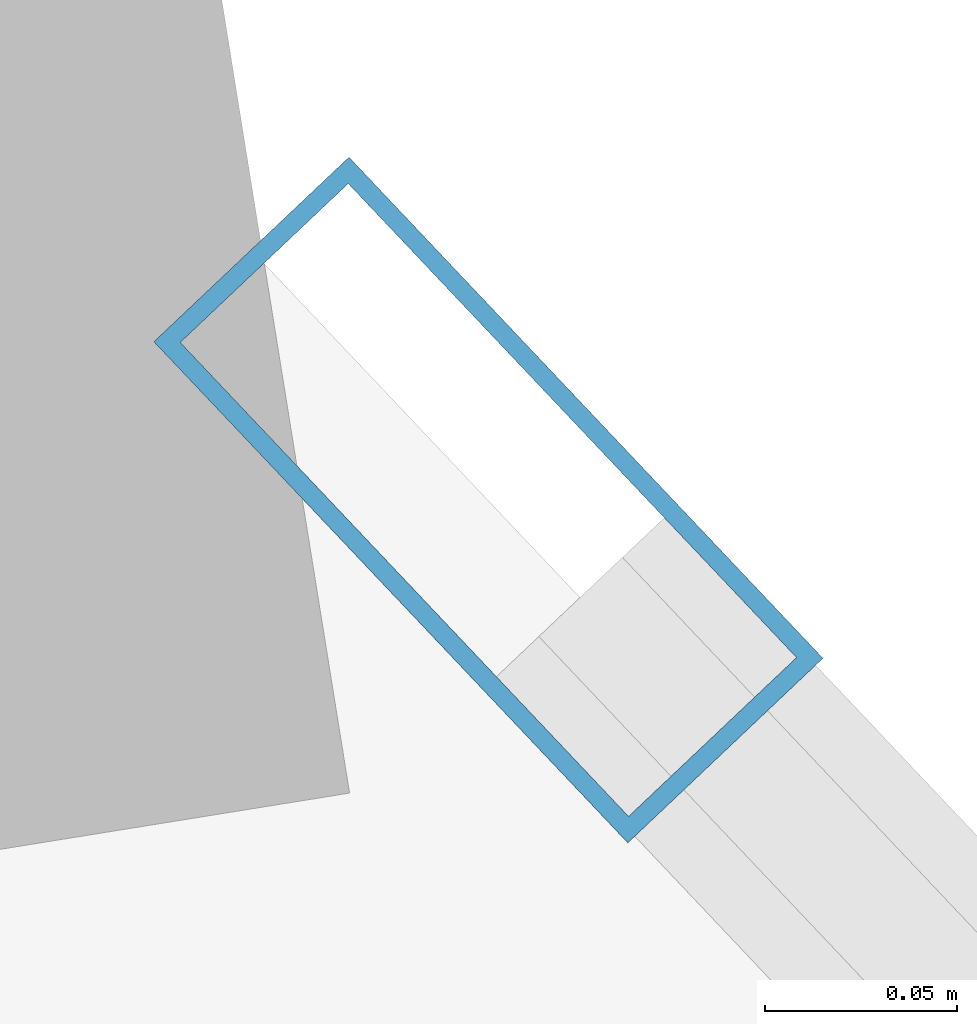
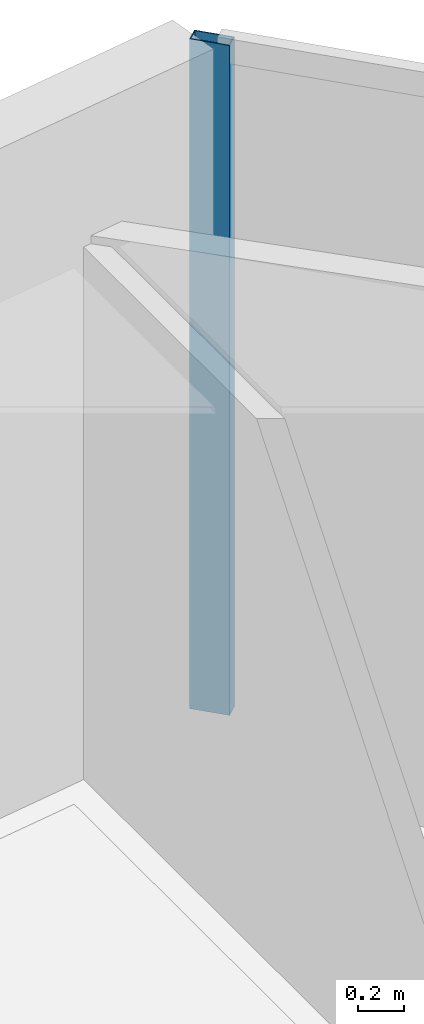
# One storey, part 15 of 23: 1 member, 1 element without a shape of its own.
"""IFC4 building model written with IfcOpenShell, lengths in metres."""

import ifcopenshell
import ifcopenshell.guid

model = None  # the IFC model being written
_history = None  # IfcOwnerHistory: only IFC2X3 demands one
_inside = {}  # id of a spatial element -> (the spatial element, [elements in it])
_under = {}  # id of a project, library or spatial element -> (it, [spatial elements below it])
_declared = {}  # id of a project -> (the project, [libraries it declares])
_typed = {}  # id of a type object -> (the type object, [elements of that type])
_made_of = {}  # id of a material, layer set ... -> (it, [elements and type objects made of it])


def new_model(schema):
    """Start an empty IFC model of exactly this schema.

    Asked for "IFC4X3", IfcOpenShell would pick the latest addendum, in which some entities
    have other attributes; the version numbers below select the first issue.
    IFC2X3 requires an IfcOwnerHistory on every rooted entity: one is made here for all.
    """
    global model, _history
    if schema == "IFC4X3":
        model = ifcopenshell.file(schema_version=(4, 3, 0, 0))
    else:
        model = ifcopenshell.file(schema=schema)
    _inside.clear()
    _under.clear()
    _declared.clear()
    _typed.clear()
    _made_of.clear()
    _history = None
    if model.schema == "IFC2X3":
        org = make("IfcOrganization", Name="unknown")
        user = make(
            "IfcPersonAndOrganization",
            ThePerson=make("IfcPerson", FamilyName="unknown"),
            TheOrganization=org,
        )
        app = make(
            "IfcApplication",
            ApplicationDeveloper=org,
            Version="unknown",
            ApplicationFullName="unknown",
            ApplicationIdentifier="unknown",
        )
        _history = make(
            "IfcOwnerHistory",
            OwningUser=user,
            OwningApplication=app,
            ChangeAction="ADDED",
            CreationDate=0,
        )
    return model


def make(cls, **values):
    """One entity of the class cls with the attributes given. An attribute that is None is left unset."""
    return model.create_entity(
        cls, **{name: value for name, value in values.items() if value is not None}
    )


def rooted(cls, **values):
    """An entity with a GlobalId (a new one), such as an element, a storey or a relation."""
    return make(cls, GlobalId=ifcopenshell.guid.new(), OwnerHistory=_history, **values)


def si_unit(unit_type, name, prefix=None):
    """IfcSIUnit, for example si_unit("LENGTHUNIT", "METRE", prefix="MILLI")."""
    return make("IfcSIUnit", UnitType=unit_type, Prefix=prefix, Name=name)


def assignment(units):
    """IfcUnitAssignment: the units of a project."""
    return None if units is None else make("IfcUnitAssignment", Units=units)


def point(xyz):
    """IfcCartesianPoint."""
    return None if xyz is None else make("IfcCartesianPoint", Coordinates=xyz)


def direction(xyz):
    """IfcDirection."""
    return None if xyz is None else make("IfcDirection", DirectionRatios=xyz)


def frame(location, z_axis=None, x_axis=None):
    """IfcAxis2Placement3D, a coordinate frame: its origin and axes. An axis left out is left unset."""
    return make(
        "IfcAxis2Placement3D",
        Location=point(location),
        Axis=direction(z_axis),
        RefDirection=direction(x_axis),
    )


def frame_2d(location, x_axis=None):
    """IfcAxis2Placement2D, a coordinate frame in the plane: its origin and x axis."""
    return make(
        "IfcAxis2Placement2D", Location=point(location), RefDirection=direction(x_axis)
    )


def origin():
    """The frame at (0, 0, 0) with its axes left unset."""
    return frame((0.0, 0.0, 0.0))


def origin_2d():
    """The frame at (0, 0) in the plane with its x axis left unset."""
    return frame_2d((0.0, 0.0))


def place(relative_to, where):
    """IfcLocalPlacement: puts the frame where relative to a parent placement (None: the world)."""
    return make(
        "IfcLocalPlacement", PlacementRelTo=relative_to, RelativePlacement=where
    )


def context(
    kind, dimensions, precision=None, world=None, true_north=None, identifier=None
):
    """IfcGeometricRepresentationContext, for example the 3D "Model" context."""
    return make(
        "IfcGeometricRepresentationContext",
        ContextIdentifier=identifier,
        ContextType=kind,
        CoordinateSpaceDimension=dimensions,
        Precision=precision,
        WorldCoordinateSystem=world,
        TrueNorth=true_north,
    )


def subcontext(parent, identifier, kind, view, scale=None):
    """IfcGeometricRepresentationSubContext, for example "Body" below "Model"."""
    return make(
        "IfcGeometricRepresentationSubContext",
        ContextIdentifier=identifier,
        ContextType=kind,
        ParentContext=parent,
        TargetScale=scale,
        TargetView=view,
    )


def project(units=None, contexts=None):
    """IfcProject with its units and contexts."""
    return rooted(
        "IfcProject",
        Name="project",
        RepresentationContexts=contexts,
        UnitsInContext=assignment(units),
    )


def spatial(cls, under=None, at=None, **own):
    """A site, building, storey or space (cls), placed at a placement, below another one or the project."""
    s = rooted(cls, ObjectPlacement=at, **own)
    if under is not None:
        _under.setdefault(under.id(), (under, []))[1].append(s)
    return s


def profile(cls, at=None, kind="AREA", **sizes):
    """A parametric profile (cls). Its sizes go by their IFC names, for example OverallWidth=200.0."""
    return make(cls, ProfileType=kind, Position=at, **sizes)


def hollow_rectangle(**sizes):
    """IfcRectangleHollowProfileDef."""
    return profile("IfcRectangleHollowProfileDef", **sizes)


def extrude(swept, where, along, depth):
    """IfcExtrudedAreaSolid: the profile swept, set in the frame where, extruded along a direction by depth."""
    return make(
        "IfcExtrudedAreaSolid",
        SweptArea=swept,
        Position=where,
        ExtrudedDirection=direction(along),
        Depth=depth,
    )


def shape(context_of_items, identifier, shape_type, items):
    """IfcShapeRepresentation: the items that make up one representation, for example the "Body"."""
    return make(
        "IfcShapeRepresentation",
        ContextOfItems=context_of_items,
        RepresentationIdentifier=identifier,
        RepresentationType=shape_type,
        Items=items,
    )


def material(Name=None, Category=None):
    """IfcMaterial."""
    return make("IfcMaterial", Name=Name, Category=Category)


def layer(
    of_material, thickness, ventilated=None, Name=None, Category=None, Priority=None
):
    """IfcMaterialLayer: one layer of a wall or slab, of a material (None: an air gap)."""
    return make(
        "IfcMaterialLayer",
        Material=of_material,
        LayerThickness=thickness,
        IsVentilated=ventilated,
        Name=Name,
        Category=Category,
        Priority=Priority,
    )


def layer_set(layers, Name=None):
    """IfcMaterialLayerSet."""
    return make("IfcMaterialLayerSet", MaterialLayers=layers, LayerSetName=Name)


def material_profile(
    of_material, cross_section, Name=None, Category=None, Priority=None
):
    """IfcMaterialProfile: a cross section and its material."""
    return make(
        "IfcMaterialProfile",
        Name=Name,
        Material=of_material,
        Profile=cross_section,
        Priority=Priority,
        Category=Category,
    )


def profile_set(profiles, Name=None, composite=None):
    """IfcMaterialProfileSet."""
    return make(
        "IfcMaterialProfileSet",
        Name=Name,
        MaterialProfiles=profiles,
        CompositeProfile=composite,
    )


def made_of(thing, what):
    """Note that an element or type object is made of a material, layer set ...; save() writes the relation."""
    if what is not None:
        _made_of.setdefault(what.id(), (what, []))[1].append(thing)
    return thing


def type_object(cls, material=None, **own):
    """A type object (cls), such as IfcWallType, which elements share."""
    return made_of(rooted(cls, **own), material)


def element(
    cls,
    number,
    at=None,
    inside=None,
    cuts=None,
    type_object=None,
    material=None,
    context=None,
    identifier="Body",
    shape_type=None,
    held_by="IfcProductDefinitionShape",
    body=None,
    shapes=None,
    **own,
):
    """One element of the class cls, such as IfcWall. Its Tag is "e" and its number.

    at: its placement. inside: the storey or other place that contains it. cuts: it is an
    opening in that element (IfcRelVoidsElement). A single representation is given by context,
    identifier, shape_type and body (its items); several are given by shapes. held_by: the class
    of the entity that holds the representations. save() writes the other relations.
    """
    e = rooted(cls, Tag="e%d" % number, ObjectPlacement=at, **own)
    if body is not None:
        shapes = [shape(context, identifier, shape_type, body)]
    if shapes is not None:
        e.Representation = make(held_by, Representations=shapes)
    if inside is not None:
        _inside.setdefault(inside.id(), (inside, []))[1].append(e)
    if cuts is not None:
        rooted(
            "IfcRelVoidsElement", RelatingBuildingElement=cuts, RelatedOpeningElement=e
        )
    if type_object is not None:
        _typed.setdefault(type_object.id(), (type_object, []))[1].append(e)
    return made_of(e, material)


def aggregate(whole, parts):
    """IfcRelAggregates: a whole, such as a stair, and the parts it consists of."""
    return rooted("IfcRelAggregates", RelatingObject=whole, RelatedObjects=parts)


def save(model, path):
    """Write the relations noted so far, then the file.

    IfcRelAggregates (storeys below a building ...), IfcRelContainedInSpatialStructure (elements
    in a storey), IfcRelDefinesByType, IfcRelAssociatesMaterial and IfcRelDeclares: one each for
    every whole, place, type object, material and project.
    """
    for whole, parts in _under.values():
        aggregate(whole, parts)
    for where, things in _inside.values():
        rooted(
            "IfcRelContainedInSpatialStructure",
            RelatedElements=things,
            RelatingStructure=where,
        )
    for kind, things in _typed.values():
        rooted("IfcRelDefinesByType", RelatedObjects=things, RelatingType=kind)
    for what, things in _made_of.values():
        rooted("IfcRelAssociatesMaterial", RelatedObjects=things, RelatingMaterial=what)
    for by, libraries in _declared.values():
        rooted("IfcRelDeclares", RelatingContext=by, RelatedDefinitions=libraries)
    model.write(path)


model = new_model("IFC4")

# Units and contexts
model_context = context("Model", 3, precision=1e-05, world=origin(), true_north=direction((0.0, 1.0)))
body_context = subcontext(model_context, "Body", "Model", "MODEL_VIEW")
ifc_project = project(units=[si_unit("LENGTHUNIT", "METRE"), si_unit("AREAUNIT", "SQUARE_METRE"), si_unit("VOLUMEUNIT", "CUBIC_METRE"), si_unit("PLANEANGLEUNIT", "RADIAN"), si_unit("MASSUNIT", "GRAM", prefix="KILO")], contexts=[model_context])

# Site, building, storey
site_placement = place(None, origin())
site = spatial("IfcSite", under=ifc_project, at=site_placement, CompositionType="ELEMENT")
building_placement = place(site_placement, origin())
building = spatial("IfcBuilding", under=site, at=building_placement, Name="Qianvela Tower", CompositionType="ELEMENT")
storey_placement = place(building_placement, frame((0.0, 0.0, 52.5)))
storey = spatial("IfcBuildingStorey", under=building, at=storey_placement, Name="L12", CompositionType="ELEMENT", Elevation=52.5)

# Curtain wall, member
ifc_material_1 = material(Name="Anodised Architectural Aluminium and Low-E Glass", Category="aluminium")
ifc_layer = layer(ifc_material_1, 0.179931640625)
ifc_layer_set = layer_set([ifc_layer], Name="Anodised Architectural Aluminium and Low-E Glass")
curtain_wall_type = type_object("IfcCurtainWallType", Name="CW-COLIV-Z12", PredefinedType="USERDEFINED", material=ifc_layer_set)
curtain_wall_placement = place(storey_placement, origin())
curtain_wall = element("IfcCurtainWall", 1, at=curtain_wall_placement, inside=storey, type_object=curtain_wall_type, Name="L12 CW-COLIV-Z12 Curtain Wall 02C", ObjectType="CURTAIN_WALL_SYSTEM", PredefinedType="USERDEFINED")
ifc_material_2 = material(Name="Anodised Architectural Aluminium 6063-T6", Category="aluminium")
ifc_material_profile = material_profile(ifc_material_2, hollow_rectangle(XDim=0.070068359375, YDim=0.179931640625, WallThickness=0.0048828125, at=origin_2d()), Name="ALU-MULL-70x180")
ifc_profile_set = profile_set([ifc_material_profile], Name="Anodised Architectural Aluminium 6063-T6")
member_type = type_object("IfcMemberType", Name="CW-COLIV-Z12-MULL", PredefinedType="MULLION", material=ifc_profile_set)
member_placement = place(storey_placement, frame((38.268310546875, 44.60498046875, 0.0), z_axis=(0.0, 0.0, 1.0), x_axis=(-0.726494074876, -0.687172728773, 0.0)))
member = element("IfcMember", 2, at=member_placement, type_object=member_type, Name="CW-3 mullion 2", PredefinedType="MULLION", context=body_context, shape_type="SweptSolid", body=[
    extrude(hollow_rectangle(XDim=0.070068359375, YDim=0.179931640625, WallThickness=0.0048828125, at=origin_2d()), origin(), (0.0, 0.0, 1.0), 3.52001953125),
])
aggregate(curtain_wall, [member])

save(model, "model.ifc")
